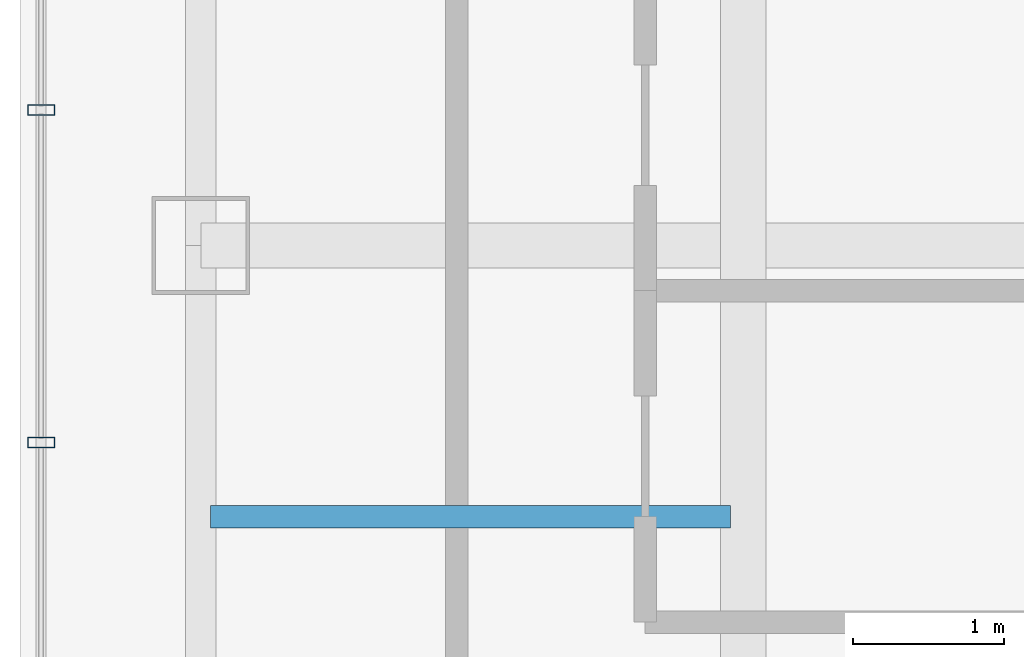
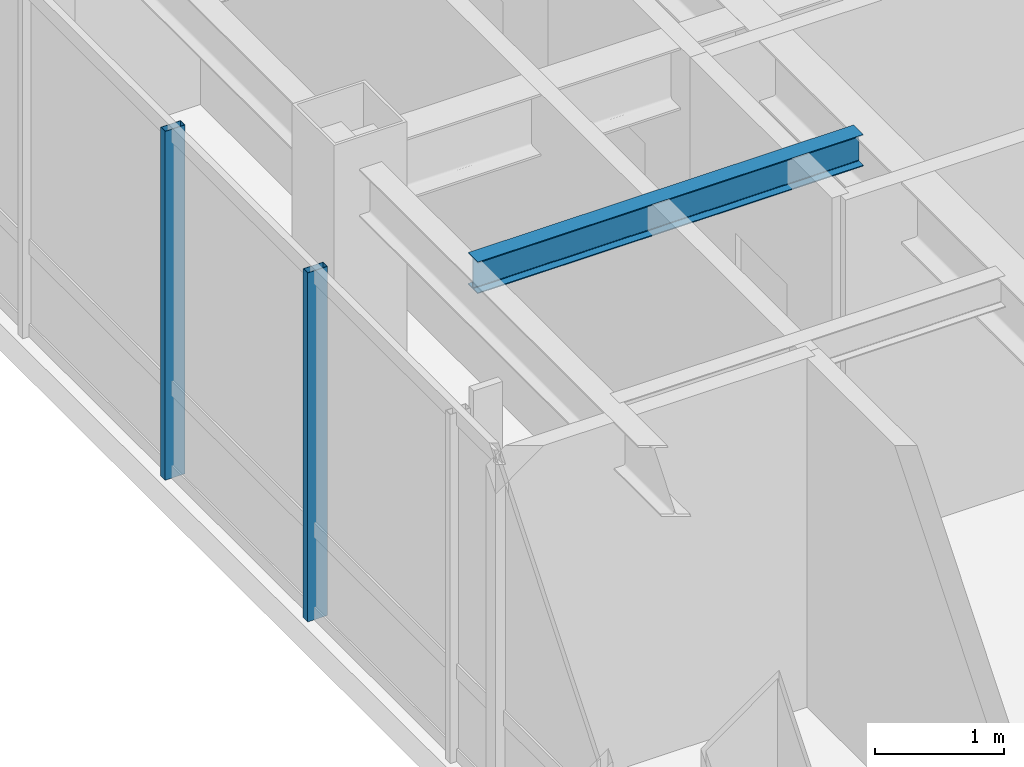
# One storey, part 6 of 25: 2 members, 1 beam, 1 element without a shape of its own.
"""IFC4 building model written with IfcOpenShell, lengths in metres."""

from ifc_helpers import new_model, si_unit, direction, frame, origin, origin_2d, place, context, subcontext, project, spatial, hollow_rectangle, i_section, extrude, material, layer, layer_set, material_profile, profile_set, type_object, element, aggregate, save


model = new_model("IFC4")

# Units and contexts
model_context = context("Model", 3, precision=1e-05, world=origin(), true_north=direction((0.0, 1.0)))
body_context = subcontext(model_context, "Body", "Model", "MODEL_VIEW")
ifc_project = project(units=[si_unit("LENGTHUNIT", "METRE"), si_unit("AREAUNIT", "SQUARE_METRE"), si_unit("VOLUMEUNIT", "CUBIC_METRE"), si_unit("PLANEANGLEUNIT", "RADIAN"), si_unit("MASSUNIT", "GRAM", prefix="KILO")], contexts=[model_context])

# Site, building, storey
site_placement = place(None, origin())
site = spatial("IfcSite", under=ifc_project, at=site_placement, CompositionType="ELEMENT")
building_placement = place(site_placement, origin())
building = spatial("IfcBuilding", under=site, at=building_placement, Name="Hatsunagi Terrace Concourse", CompositionType="ELEMENT")
storey_placement = place(building_placement, frame((0.0, 0.0, 231.14990234375)))
storey = spatial("IfcBuildingStorey", under=building, at=storey_placement, Name="L61", CompositionType="ELEMENT", Elevation=231.14990234375)

# Curtain wall, members
ifc_material_1 = material(Name="Anodised Aluminium Alloy 6063-T5", Category="aluminium")
ifc_layer = layer(ifc_material_1, 0.199951171875)
ifc_layer_set = layer_set([ifc_layer], Name="OfficeZone2_CW04")
curtain_wall_type = type_object("IfcCurtainWallType", Name="OfficeZone2_CW04", PredefinedType="NOTDEFINED", material=ifc_layer_set)
curtain_wall_placement = place(storey_placement, origin())
curtain_wall = element("IfcCurtainWall", 1, at=curtain_wall_placement, inside=storey, type_object=curtain_wall_type, Name="Unitised Curtain Wall CW-04 CW-L61-08", PredefinedType="NOTDEFINED")
ifc_material_2 = material(Name="Anodised Aluminium Alloy 6063-T5", Category="aluminium")
ifc_material_profile_1 = material_profile(ifc_material_2, hollow_rectangle(XDim=0.070068359375, YDim=0.179931640625, WallThickness=0.00390625, at=origin_2d()), Name="ALU-MUL-180x70x4")
ifc_profile_set_1 = profile_set([ifc_material_profile_1], Name="Anodised Aluminium Alloy 6063-T5")
member_type = type_object("IfcMemberType", Name="CurtainWallMullion_180x70", PredefinedType="MULLION", material=ifc_profile_set_1)
member_1_placement = place(storey_placement, frame((18.139892578125, 34.69189453125, 0.0), z_axis=(0.0, 0.0, 1.0), x_axis=(0.0, 1.0, 0.0)))
member_1 = element("IfcMember", 2, at=member_1_placement, type_object=member_type, Name="Curtain Wall Mullion MUL-02", PredefinedType="MULLION", context=body_context, shape_type="SweptSolid", body=[
    extrude(hollow_rectangle(XDim=0.070068359375, YDim=0.179931640625, WallThickness=0.00390625, at=origin_2d()), origin(), (0.0, 0.0, 1.0), 3.300048828125),
])
member_2_placement = place(storey_placement, frame((18.139892578125, 36.89990234375, 0.0), z_axis=(0.0, 0.0, 1.0), x_axis=(0.0, 1.0, 0.0)))
member_2 = element("IfcMember", 3, at=member_2_placement, type_object=member_type, Name="Curtain Wall Mullion MUL-02", PredefinedType="MULLION", context=body_context, shape_type="SweptSolid", body=[
    extrude(hollow_rectangle(XDim=0.070068359375, YDim=0.179931640625, WallThickness=0.00390625, at=origin_2d()), origin(), (0.0, 0.0, 1.0), 3.300048828125),
])
aggregate(curtain_wall, [member_1, member_2])

# Beam
ifc_material_3 = material(Name="Steel SN490B", Category="steel")
ifc_material_profile_2 = material_profile(ifc_material_3, i_section(OverallWidth=0.14990234375, OverallDepth=0.300048828125, WebThickness=0.006591796875, FlangeThickness=0.009033203125, FilletRadius=0.010986328125, at=origin_2d()), Name="H-300x150x6.5x9")
ifc_profile_set_2 = profile_set([ifc_material_profile_2], Name="Steel SN490B")
beam_type = type_object("IfcBeamType", Name="OfficeJoist_H_300x150", PredefinedType="JOIST", material=ifc_profile_set_2)
beam_placement = place(storey_placement, frame((19.264892578125, 34.199951171875, 3.150146484375), z_axis=(1.0, 0.0, 0.0), x_axis=(0.0, 1.0, 0.0)))
element("IfcBeam", 4, at=beam_placement, inside=storey, type_object=beam_type, Name="Beam J-03 J-L61-W-19-342", PredefinedType="JOIST", context=body_context, shape_type="SweptSolid", body=[
    extrude(i_section(OverallWidth=0.14990234375, OverallDepth=0.300048828125, WebThickness=0.006591796875, FlangeThickness=0.009033203125, FilletRadius=0.010986328125, at=origin_2d()), origin(), (0.0, 0.0, 1.0), 3.4501953125),
])

save(model, "model.ifc")
